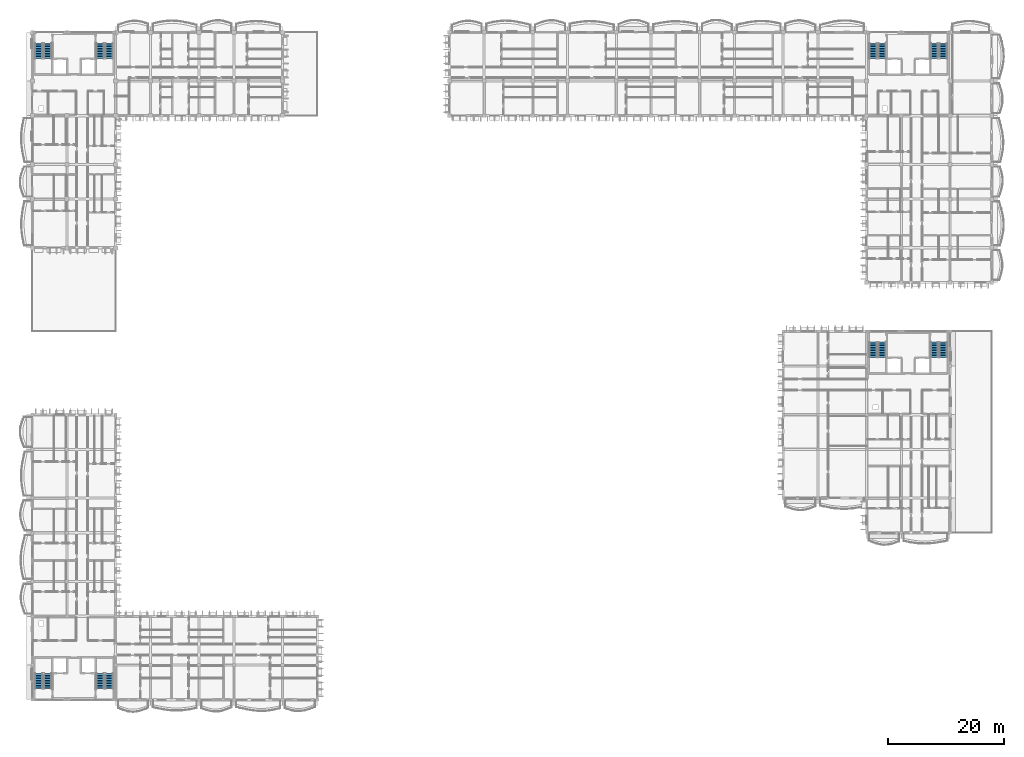
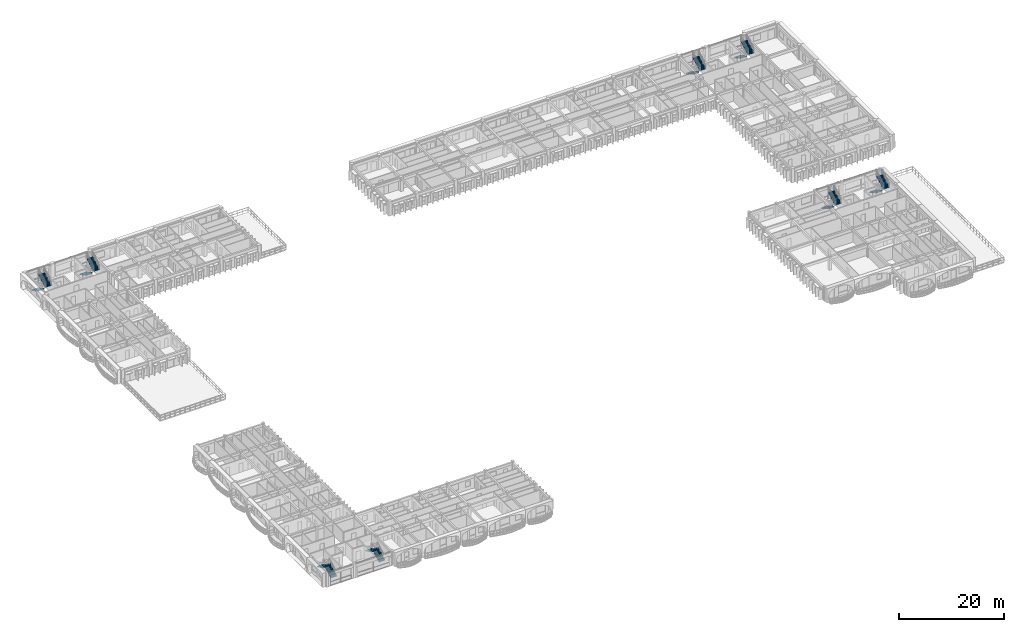
# One storey, part 38 of 66: 16 stair flights, 8 elements without a shape of their own.
"""IFC4 building model written with IfcOpenShell, lengths in metres."""

from ifc_helpers import new_model, si_unit, direction, frame, origin, place, context, subcontext, project, spatial, polyline, outline, extrude, material, type_object, element, aggregate, save


model = new_model("IFC4")

# Units and contexts
model_context = context("Model", 3, precision=1e-05, world=origin(), true_north=direction((0.0, 1.0)))
body_context = subcontext(model_context, "Body", "Model", "MODEL_VIEW")
ifc_project = project(units=[si_unit("LENGTHUNIT", "METRE"), si_unit("AREAUNIT", "SQUARE_METRE"), si_unit("VOLUMEUNIT", "CUBIC_METRE"), si_unit("PLANEANGLEUNIT", "RADIAN"), si_unit("MASSUNIT", "GRAM", prefix="KILO"), si_unit("THERMODYNAMICTEMPERATUREUNIT", "KELVIN")], contexts=[model_context])

# Site, building, storey
site_placement = place(None, origin())
site = spatial("IfcSite", under=ifc_project, at=site_placement, CompositionType="ELEMENT")
building_placement = place(site_placement, origin())
building = spatial("IfcBuilding", under=site, at=building_placement, Name="Thalorik Housing Commons", CompositionType="ELEMENT")
storey_placement = place(building_placement, frame((0.0, 0.0, 21.300048828125)))
storey = spatial("IfcBuildingStorey", under=building, at=storey_placement, Name="L06", CompositionType="ELEMENT", Elevation=21.300048828125)

# Stair, stair flights
ifc_material = material(Name="Precast concrete C40/50", Category="concrete")
stair_type = type_object("IfcStairType", Name="ARC-STR-1350-R20", PredefinedType="HALF_TURN_STAIR", material=ifc_material)
stair_1_placement = place(storey_placement, origin())
stair_1 = element("IfcStair", 1, at=stair_1_placement, inside=storey, type_object=stair_type, Name="L06 Block A Smoke-Proof Stair 1", PredefinedType="HALF_TURN_STAIR")
stair_flight_type = type_object("IfcStairFlightType", Name="ARC-SFLT-1350-R10", PredefinedType="STRAIGHT", material=ifc_material)
stair_flight_1_placement = place(storey_placement, frame((9.52490234375, 121.699951171875, 0.0), z_axis=(0.0, 0.0, 1.0), x_axis=(0.0, -1.0, 0.0)))
stair_flight_1 = element("IfcStairFlight", 2, at=stair_flight_1_placement, type_object=stair_flight_type, Name="ST-A1 flight 1", NumberOfRisers=10, NumberOfTreads=9, PredefinedType="STRAIGHT", RiserHeight=0.165, TreadLength=0.29, context=body_context, shape_type="SweptSolid", body=[
    extrude(outline(polyline([(0.0, 0.0), (0.0, 0.1650390625), (0.2900390625, 0.1650390625), (0.2900390625, 0.330078125), (0.580078125, 0.330078125), (0.580078125, 0.4951171875), (0.8701171875, 0.4951171875), (0.8701171875, 0.659912109375), (1.159912109375, 0.659912109375), (1.159912109375, 0.824951171875), (1.449951171875, 0.824951171875), (1.449951171875, 0.989990234375), (1.739990234375, 0.989990234375), (1.739990234375, 1.155029296875), (2.030029296875, 1.155029296875), (2.030029296875, 1.320068359375), (2.320068359375, 1.320068359375), (2.320068359375, 1.485107421875), (2.610107421875, 1.485107421875), (2.610107421875, 1.64990234375), (2.610107421875, 1.301025390625), (0.323486328125, 0.0), (0.0, 0.0)])), frame((0.0, 0.675048828125, 0.0), z_axis=(0.0, -1.0, 0.0), x_axis=(1.0, 0.0, 0.0)), (0.0, 0.0, 1.0), 1.35009765625),
])
stair_flight_2_placement = place(storey_placement, frame((11.074951171875, 119.090087890625, 1.64990234375), z_axis=(0.0, 0.0, 1.0), x_axis=(0.0, 1.0, 0.0)))
stair_flight_2 = element("IfcStairFlight", 3, at=stair_flight_2_placement, type_object=stair_flight_type, Name="ST-A1 flight 2", NumberOfRisers=10, NumberOfTreads=9, PredefinedType="STRAIGHT", RiserHeight=0.165, TreadLength=0.29, context=body_context, shape_type="SweptSolid", body=[
    extrude(outline(polyline([(0.0, 0.0), (0.0, 0.1650390625), (0.2900390625, 0.1650390625), (0.2900390625, 0.330078125), (0.580078125, 0.330078125), (0.580078125, 0.4951171875), (0.8701171875, 0.4951171875), (0.8701171875, 0.659912109375), (1.159912109375, 0.659912109375), (1.159912109375, 0.824951171875), (1.449951171875, 0.824951171875), (1.449951171875, 0.989990234375), (1.739990234375, 0.989990234375), (1.739990234375, 1.155029296875), (2.030029296875, 1.155029296875), (2.030029296875, 1.320068359375), (2.320068359375, 1.320068359375), (2.320068359375, 1.485107421875), (2.610107421875, 1.485107421875), (2.610107421875, 1.64990234375), (2.610107421875, 1.301025390625), (0.323486328125, 0.0), (0.0, 0.0)])), frame((0.0, 0.675048828125, 0.0), z_axis=(0.0, -1.0, 0.0), x_axis=(1.0, 0.0, 0.0)), (0.0, 0.0, 1.0), 1.35009765625),
])
aggregate(stair_1, [stair_flight_1, stair_flight_2])

stair_2_placement = place(storey_placement, origin())
stair_2 = element("IfcStair", 4, at=stair_2_placement, inside=storey, type_object=stair_type, Name="L06 Block A Smoke-Proof Stair 2", PredefinedType="HALF_TURN_STAIR")
stair_flight_3_placement = place(storey_placement, frame((20.125, 121.699951171875, 0.0), z_axis=(0.0, 0.0, 1.0), x_axis=(0.0, -1.0, 0.0)))
stair_flight_3 = element("IfcStairFlight", 5, at=stair_flight_3_placement, type_object=stair_flight_type, Name="ST-A2 flight 1", NumberOfRisers=10, NumberOfTreads=9, PredefinedType="STRAIGHT", RiserHeight=0.165, TreadLength=0.29, context=body_context, shape_type="SweptSolid", body=[
    extrude(outline(polyline([(0.0, 0.0), (0.0, 0.1650390625), (0.2900390625, 0.1650390625), (0.2900390625, 0.330078125), (0.580078125, 0.330078125), (0.580078125, 0.4951171875), (0.8701171875, 0.4951171875), (0.8701171875, 0.659912109375), (1.159912109375, 0.659912109375), (1.159912109375, 0.824951171875), (1.449951171875, 0.824951171875), (1.449951171875, 0.989990234375), (1.739990234375, 0.989990234375), (1.739990234375, 1.155029296875), (2.030029296875, 1.155029296875), (2.030029296875, 1.320068359375), (2.320068359375, 1.320068359375), (2.320068359375, 1.485107421875), (2.610107421875, 1.485107421875), (2.610107421875, 1.64990234375), (2.610107421875, 1.301025390625), (0.323486328125, 0.0), (0.0, 0.0)])), frame((0.0, 0.675048828125, 0.0), z_axis=(0.0, -1.0, 0.0), x_axis=(1.0, 0.0, 0.0)), (0.0, 0.0, 1.0), 1.35009765625),
])
stair_flight_4_placement = place(storey_placement, frame((21.675048828125, 119.090087890625, 1.64990234375), z_axis=(0.0, 0.0, 1.0), x_axis=(0.0, 1.0, 0.0)))
stair_flight_4 = element("IfcStairFlight", 6, at=stair_flight_4_placement, type_object=stair_flight_type, Name="ST-A2 flight 2", NumberOfRisers=10, NumberOfTreads=9, PredefinedType="STRAIGHT", RiserHeight=0.165, TreadLength=0.29, context=body_context, shape_type="SweptSolid", body=[
    extrude(outline(polyline([(0.0, 0.0), (0.0, 0.1650390625), (0.2900390625, 0.1650390625), (0.2900390625, 0.330078125), (0.580078125, 0.330078125), (0.580078125, 0.4951171875), (0.8701171875, 0.4951171875), (0.8701171875, 0.659912109375), (1.159912109375, 0.659912109375), (1.159912109375, 0.824951171875), (1.449951171875, 0.824951171875), (1.449951171875, 0.989990234375), (1.739990234375, 0.989990234375), (1.739990234375, 1.155029296875), (2.030029296875, 1.155029296875), (2.030029296875, 1.320068359375), (2.320068359375, 1.320068359375), (2.320068359375, 1.485107421875), (2.610107421875, 1.485107421875), (2.610107421875, 1.64990234375), (2.610107421875, 1.301025390625), (0.323486328125, 0.0), (0.0, 0.0)])), frame((0.0, 0.675048828125, 0.0), z_axis=(0.0, -1.0, 0.0), x_axis=(1.0, 0.0, 0.0)), (0.0, 0.0, 1.0), 1.35009765625),
])
aggregate(stair_2, [stair_flight_3, stair_flight_4])

stair_3_placement = place(storey_placement, origin())
stair_3 = element("IfcStair", 7, at=stair_3_placement, inside=storey, type_object=stair_type, Name="L06 Block B Smoke-Proof Stair 1", PredefinedType="HALF_TURN_STAIR")
stair_flight_5_placement = place(storey_placement, frame((153.52490234375, 121.699951171875, 0.0), z_axis=(0.0, 0.0, 1.0), x_axis=(0.0, -1.0, 0.0)))
stair_flight_5 = element("IfcStairFlight", 8, at=stair_flight_5_placement, type_object=stair_flight_type, Name="ST-B1 flight 1", NumberOfRisers=10, NumberOfTreads=9, PredefinedType="STRAIGHT", RiserHeight=0.165, TreadLength=0.29, context=body_context, shape_type="SweptSolid", body=[
    extrude(outline(polyline([(0.0, 0.0), (0.0, 0.1650390625), (0.2900390625, 0.1650390625), (0.2900390625, 0.330078125), (0.580078125, 0.330078125), (0.580078125, 0.4951171875), (0.8701171875, 0.4951171875), (0.8701171875, 0.659912109375), (1.159912109375, 0.659912109375), (1.159912109375, 0.824951171875), (1.449951171875, 0.824951171875), (1.449951171875, 0.989990234375), (1.739990234375, 0.989990234375), (1.739990234375, 1.155029296875), (2.030029296875, 1.155029296875), (2.030029296875, 1.320068359375), (2.320068359375, 1.320068359375), (2.320068359375, 1.485107421875), (2.610107421875, 1.485107421875), (2.610107421875, 1.64990234375), (2.610107421875, 1.301025390625), (0.323486328125, 0.0), (0.0, 0.0)])), frame((0.0, 0.675048828125, 0.0), z_axis=(0.0, -1.0, 0.0), x_axis=(1.0, 0.0, 0.0)), (0.0, 0.0, 1.0), 1.35009765625),
])
stair_flight_6_placement = place(storey_placement, frame((155.074951171875, 119.090087890625, 1.64990234375), z_axis=(0.0, 0.0, 1.0), x_axis=(0.0, 1.0, 0.0)))
stair_flight_6 = element("IfcStairFlight", 9, at=stair_flight_6_placement, type_object=stair_flight_type, Name="ST-B1 flight 2", NumberOfRisers=10, NumberOfTreads=9, PredefinedType="STRAIGHT", RiserHeight=0.165, TreadLength=0.29, context=body_context, shape_type="SweptSolid", body=[
    extrude(outline(polyline([(0.0, 0.0), (0.0, 0.1650390625), (0.2900390625, 0.1650390625), (0.2900390625, 0.330078125), (0.580078125, 0.330078125), (0.580078125, 0.4951171875), (0.8701171875, 0.4951171875), (0.8701171875, 0.659912109375), (1.159912109375, 0.659912109375), (1.159912109375, 0.824951171875), (1.449951171875, 0.824951171875), (1.449951171875, 0.989990234375), (1.739990234375, 0.989990234375), (1.739990234375, 1.155029296875), (2.030029296875, 1.155029296875), (2.030029296875, 1.320068359375), (2.320068359375, 1.320068359375), (2.320068359375, 1.485107421875), (2.610107421875, 1.485107421875), (2.610107421875, 1.64990234375), (2.610107421875, 1.301025390625), (0.323486328125, 0.0), (0.0, 0.0)])), frame((0.0, 0.675048828125, 0.0), z_axis=(0.0, -1.0, 0.0), x_axis=(1.0, 0.0, 0.0)), (0.0, 0.0, 1.0), 1.35009765625),
])
aggregate(stair_3, [stair_flight_5, stair_flight_6])

stair_4_placement = place(storey_placement, origin())
stair_4 = element("IfcStair", 10, at=stair_4_placement, inside=storey, type_object=stair_type, Name="L06 Block B Smoke-Proof Stair 2", PredefinedType="HALF_TURN_STAIR")
stair_flight_7_placement = place(storey_placement, frame((164.125, 121.699951171875, 0.0), z_axis=(0.0, 0.0, 1.0), x_axis=(0.0, -1.0, 0.0)))
stair_flight_7 = element("IfcStairFlight", 11, at=stair_flight_7_placement, type_object=stair_flight_type, Name="ST-B2 flight 1", NumberOfRisers=10, NumberOfTreads=9, PredefinedType="STRAIGHT", RiserHeight=0.165, TreadLength=0.29, context=body_context, shape_type="SweptSolid", body=[
    extrude(outline(polyline([(0.0, 0.0), (0.0, 0.1650390625), (0.2900390625, 0.1650390625), (0.2900390625, 0.330078125), (0.580078125, 0.330078125), (0.580078125, 0.4951171875), (0.8701171875, 0.4951171875), (0.8701171875, 0.659912109375), (1.159912109375, 0.659912109375), (1.159912109375, 0.824951171875), (1.449951171875, 0.824951171875), (1.449951171875, 0.989990234375), (1.739990234375, 0.989990234375), (1.739990234375, 1.155029296875), (2.030029296875, 1.155029296875), (2.030029296875, 1.320068359375), (2.320068359375, 1.320068359375), (2.320068359375, 1.485107421875), (2.610107421875, 1.485107421875), (2.610107421875, 1.64990234375), (2.610107421875, 1.301025390625), (0.323486328125, 0.0), (0.0, 0.0)])), frame((0.0, 0.675048828125, 0.0), z_axis=(0.0, -1.0, 0.0), x_axis=(1.0, 0.0, 0.0)), (0.0, 0.0, 1.0), 1.35009765625),
])
stair_flight_8_placement = place(storey_placement, frame((165.675048828125, 119.090087890625, 1.64990234375), z_axis=(0.0, 0.0, 1.0), x_axis=(0.0, 1.0, 0.0)))
stair_flight_8 = element("IfcStairFlight", 12, at=stair_flight_8_placement, type_object=stair_flight_type, Name="ST-B2 flight 2", NumberOfRisers=10, NumberOfTreads=9, PredefinedType="STRAIGHT", RiserHeight=0.165, TreadLength=0.29, context=body_context, shape_type="SweptSolid", body=[
    extrude(outline(polyline([(0.0, 0.0), (0.0, 0.1650390625), (0.2900390625, 0.1650390625), (0.2900390625, 0.330078125), (0.580078125, 0.330078125), (0.580078125, 0.4951171875), (0.8701171875, 0.4951171875), (0.8701171875, 0.659912109375), (1.159912109375, 0.659912109375), (1.159912109375, 0.824951171875), (1.449951171875, 0.824951171875), (1.449951171875, 0.989990234375), (1.739990234375, 0.989990234375), (1.739990234375, 1.155029296875), (2.030029296875, 1.155029296875), (2.030029296875, 1.320068359375), (2.320068359375, 1.320068359375), (2.320068359375, 1.485107421875), (2.610107421875, 1.485107421875), (2.610107421875, 1.64990234375), (2.610107421875, 1.301025390625), (0.323486328125, 0.0), (0.0, 0.0)])), frame((0.0, 0.675048828125, 0.0), z_axis=(0.0, -1.0, 0.0), x_axis=(1.0, 0.0, 0.0)), (0.0, 0.0, 1.0), 1.35009765625),
])
aggregate(stair_4, [stair_flight_7, stair_flight_8])

stair_5_placement = place(storey_placement, origin())
stair_5 = element("IfcStair", 13, at=stair_5_placement, inside=storey, type_object=stair_type, Name="L06 Block C Smoke-Proof Stair 1", PredefinedType="HALF_TURN_STAIR")
stair_flight_9_placement = place(storey_placement, frame((11.074951171875, 10.300048828125, 0.0), z_axis=(0.0, 0.0, 1.0), x_axis=(0.0, 1.0, 0.0)))
stair_flight_9 = element("IfcStairFlight", 14, at=stair_flight_9_placement, type_object=stair_flight_type, Name="ST-C1 flight 1", NumberOfRisers=10, NumberOfTreads=9, PredefinedType="STRAIGHT", RiserHeight=0.165, TreadLength=0.29, context=body_context, shape_type="SweptSolid", body=[
    extrude(outline(polyline([(0.0, 0.0), (0.0, 0.1650390625), (0.2900390625, 0.1650390625), (0.2900390625, 0.330078125), (0.580078125, 0.330078125), (0.580078125, 0.4951171875), (0.8701171875, 0.4951171875), (0.8701171875, 0.659912109375), (1.159912109375, 0.659912109375), (1.159912109375, 0.824951171875), (1.449951171875, 0.824951171875), (1.449951171875, 0.989990234375), (1.739990234375, 0.989990234375), (1.739990234375, 1.155029296875), (2.030029296875, 1.155029296875), (2.030029296875, 1.320068359375), (2.320068359375, 1.320068359375), (2.320068359375, 1.485107421875), (2.610107421875, 1.485107421875), (2.610107421875, 1.64990234375), (2.610107421875, 1.301025390625), (0.323486328125, 0.0), (0.0, 0.0)])), frame((0.0, 0.675048828125, 0.0), z_axis=(0.0, -1.0, 0.0), x_axis=(1.0, 0.0, 0.0)), (0.0, 0.0, 1.0), 1.35009765625),
])
stair_flight_10_placement = place(storey_placement, frame((9.52490234375, 12.909912109375, 1.64990234375), z_axis=(0.0, 0.0, 1.0), x_axis=(0.0, -1.0, 0.0)))
stair_flight_10 = element("IfcStairFlight", 15, at=stair_flight_10_placement, type_object=stair_flight_type, Name="ST-C1 flight 2", NumberOfRisers=10, NumberOfTreads=9, PredefinedType="STRAIGHT", RiserHeight=0.165, TreadLength=0.29, context=body_context, shape_type="SweptSolid", body=[
    extrude(outline(polyline([(0.0, 0.0), (0.0, 0.1650390625), (0.2900390625, 0.1650390625), (0.2900390625, 0.330078125), (0.580078125, 0.330078125), (0.580078125, 0.4951171875), (0.8701171875, 0.4951171875), (0.8701171875, 0.659912109375), (1.159912109375, 0.659912109375), (1.159912109375, 0.824951171875), (1.449951171875, 0.824951171875), (1.449951171875, 0.989990234375), (1.739990234375, 0.989990234375), (1.739990234375, 1.155029296875), (2.030029296875, 1.155029296875), (2.030029296875, 1.320068359375), (2.320068359375, 1.320068359375), (2.320068359375, 1.485107421875), (2.610107421875, 1.485107421875), (2.610107421875, 1.64990234375), (2.610107421875, 1.301025390625), (0.323486328125, 0.0), (0.0, 0.0)])), frame((0.0, 0.675048828125, 0.0), z_axis=(0.0, -1.0, 0.0), x_axis=(1.0, 0.0, 0.0)), (0.0, 0.0, 1.0), 1.35009765625),
])
aggregate(stair_5, [stair_flight_9, stair_flight_10])

stair_6_placement = place(storey_placement, origin())
stair_6 = element("IfcStair", 16, at=stair_6_placement, inside=storey, type_object=stair_type, Name="L06 Block C Smoke-Proof Stair 2", PredefinedType="HALF_TURN_STAIR")
stair_flight_11_placement = place(storey_placement, frame((21.675048828125, 10.300048828125, 0.0), z_axis=(0.0, 0.0, 1.0), x_axis=(0.0, 1.0, 0.0)))
stair_flight_11 = element("IfcStairFlight", 17, at=stair_flight_11_placement, type_object=stair_flight_type, Name="ST-C2 flight 1", NumberOfRisers=10, NumberOfTreads=9, PredefinedType="STRAIGHT", RiserHeight=0.165, TreadLength=0.29, context=body_context, shape_type="SweptSolid", body=[
    extrude(outline(polyline([(0.0, 0.0), (0.0, 0.1650390625), (0.2900390625, 0.1650390625), (0.2900390625, 0.330078125), (0.580078125, 0.330078125), (0.580078125, 0.4951171875), (0.8701171875, 0.4951171875), (0.8701171875, 0.659912109375), (1.159912109375, 0.659912109375), (1.159912109375, 0.824951171875), (1.449951171875, 0.824951171875), (1.449951171875, 0.989990234375), (1.739990234375, 0.989990234375), (1.739990234375, 1.155029296875), (2.030029296875, 1.155029296875), (2.030029296875, 1.320068359375), (2.320068359375, 1.320068359375), (2.320068359375, 1.485107421875), (2.610107421875, 1.485107421875), (2.610107421875, 1.64990234375), (2.610107421875, 1.301025390625), (0.323486328125, 0.0), (0.0, 0.0)])), frame((0.0, 0.675048828125, 0.0), z_axis=(0.0, -1.0, 0.0), x_axis=(1.0, 0.0, 0.0)), (0.0, 0.0, 1.0), 1.35009765625),
])
stair_flight_12_placement = place(storey_placement, frame((20.125, 12.909912109375, 1.64990234375), z_axis=(0.0, 0.0, 1.0), x_axis=(0.0, -1.0, 0.0)))
stair_flight_12 = element("IfcStairFlight", 18, at=stair_flight_12_placement, type_object=stair_flight_type, Name="ST-C2 flight 2", NumberOfRisers=10, NumberOfTreads=9, PredefinedType="STRAIGHT", RiserHeight=0.165, TreadLength=0.29, context=body_context, shape_type="SweptSolid", body=[
    extrude(outline(polyline([(0.0, 0.0), (0.0, 0.1650390625), (0.2900390625, 0.1650390625), (0.2900390625, 0.330078125), (0.580078125, 0.330078125), (0.580078125, 0.4951171875), (0.8701171875, 0.4951171875), (0.8701171875, 0.659912109375), (1.159912109375, 0.659912109375), (1.159912109375, 0.824951171875), (1.449951171875, 0.824951171875), (1.449951171875, 0.989990234375), (1.739990234375, 0.989990234375), (1.739990234375, 1.155029296875), (2.030029296875, 1.155029296875), (2.030029296875, 1.320068359375), (2.320068359375, 1.320068359375), (2.320068359375, 1.485107421875), (2.610107421875, 1.485107421875), (2.610107421875, 1.64990234375), (2.610107421875, 1.301025390625), (0.323486328125, 0.0), (0.0, 0.0)])), frame((0.0, 0.675048828125, 0.0), z_axis=(0.0, -1.0, 0.0), x_axis=(1.0, 0.0, 0.0)), (0.0, 0.0, 1.0), 1.35009765625),
])
aggregate(stair_6, [stair_flight_11, stair_flight_12])

stair_7_placement = place(storey_placement, origin())
stair_7 = element("IfcStair", 19, at=stair_7_placement, inside=storey, type_object=stair_type, Name="L06 Block D Smoke-Proof Stair 1", PredefinedType="HALF_TURN_STAIR")
stair_flight_13_placement = place(storey_placement, frame((153.52490234375, 70.10009765625, 0.0), z_axis=(0.0, 0.0, 1.0), x_axis=(0.0, -1.0, 0.0)))
stair_flight_13 = element("IfcStairFlight", 20, at=stair_flight_13_placement, type_object=stair_flight_type, Name="ST-D1 flight 1", NumberOfRisers=10, NumberOfTreads=9, PredefinedType="STRAIGHT", RiserHeight=0.165, TreadLength=0.29, context=body_context, shape_type="SweptSolid", body=[
    extrude(outline(polyline([(0.0, 0.0), (0.0, 0.1650390625), (0.2900390625, 0.1650390625), (0.2900390625, 0.330078125), (0.580078125, 0.330078125), (0.580078125, 0.4951171875), (0.8701171875, 0.4951171875), (0.8701171875, 0.659912109375), (1.159912109375, 0.659912109375), (1.159912109375, 0.824951171875), (1.449951171875, 0.824951171875), (1.449951171875, 0.989990234375), (1.739990234375, 0.989990234375), (1.739990234375, 1.155029296875), (2.030029296875, 1.155029296875), (2.030029296875, 1.320068359375), (2.320068359375, 1.320068359375), (2.320068359375, 1.485107421875), (2.610107421875, 1.485107421875), (2.610107421875, 1.64990234375), (2.610107421875, 1.301025390625), (0.323486328125, 0.0), (0.0, 0.0)])), frame((0.0, 0.675048828125, 0.0), z_axis=(0.0, -1.0, 0.0), x_axis=(1.0, 0.0, 0.0)), (0.0, 0.0, 1.0), 1.35009765625),
])
stair_flight_14_placement = place(storey_placement, frame((155.074951171875, 67.489990234375, 1.64990234375), z_axis=(0.0, 0.0, 1.0), x_axis=(0.0, 1.0, 0.0)))
stair_flight_14 = element("IfcStairFlight", 21, at=stair_flight_14_placement, type_object=stair_flight_type, Name="ST-D1 flight 2", NumberOfRisers=10, NumberOfTreads=9, PredefinedType="STRAIGHT", RiserHeight=0.165, TreadLength=0.29, context=body_context, shape_type="SweptSolid", body=[
    extrude(outline(polyline([(0.0, 0.0), (0.0, 0.1650390625), (0.2900390625, 0.1650390625), (0.2900390625, 0.330078125), (0.580078125, 0.330078125), (0.580078125, 0.4951171875), (0.8701171875, 0.4951171875), (0.8701171875, 0.659912109375), (1.159912109375, 0.659912109375), (1.159912109375, 0.824951171875), (1.449951171875, 0.824951171875), (1.449951171875, 0.989990234375), (1.739990234375, 0.989990234375), (1.739990234375, 1.155029296875), (2.030029296875, 1.155029296875), (2.030029296875, 1.320068359375), (2.320068359375, 1.320068359375), (2.320068359375, 1.485107421875), (2.610107421875, 1.485107421875), (2.610107421875, 1.64990234375), (2.610107421875, 1.301025390625), (0.323486328125, 0.0), (0.0, 0.0)])), frame((0.0, 0.675048828125, 0.0), z_axis=(0.0, -1.0, 0.0), x_axis=(1.0, 0.0, 0.0)), (0.0, 0.0, 1.0), 1.35009765625),
])
aggregate(stair_7, [stair_flight_13, stair_flight_14])

stair_8_placement = place(storey_placement, origin())
stair_8 = element("IfcStair", 22, at=stair_8_placement, inside=storey, type_object=stair_type, Name="L06 Block D Smoke-Proof Stair 2", PredefinedType="HALF_TURN_STAIR")
stair_flight_15_placement = place(storey_placement, frame((164.125, 70.10009765625, 0.0), z_axis=(0.0, 0.0, 1.0), x_axis=(0.0, -1.0, 0.0)))
stair_flight_15 = element("IfcStairFlight", 23, at=stair_flight_15_placement, type_object=stair_flight_type, Name="ST-D2 flight 1", NumberOfRisers=10, NumberOfTreads=9, PredefinedType="STRAIGHT", RiserHeight=0.165, TreadLength=0.29, context=body_context, shape_type="SweptSolid", body=[
    extrude(outline(polyline([(0.0, 0.0), (0.0, 0.1650390625), (0.2900390625, 0.1650390625), (0.2900390625, 0.330078125), (0.580078125, 0.330078125), (0.580078125, 0.4951171875), (0.8701171875, 0.4951171875), (0.8701171875, 0.659912109375), (1.159912109375, 0.659912109375), (1.159912109375, 0.824951171875), (1.449951171875, 0.824951171875), (1.449951171875, 0.989990234375), (1.739990234375, 0.989990234375), (1.739990234375, 1.155029296875), (2.030029296875, 1.155029296875), (2.030029296875, 1.320068359375), (2.320068359375, 1.320068359375), (2.320068359375, 1.485107421875), (2.610107421875, 1.485107421875), (2.610107421875, 1.64990234375), (2.610107421875, 1.301025390625), (0.323486328125, 0.0), (0.0, 0.0)])), frame((0.0, 0.675048828125, 0.0), z_axis=(0.0, -1.0, 0.0), x_axis=(1.0, 0.0, 0.0)), (0.0, 0.0, 1.0), 1.35009765625),
])
stair_flight_16_placement = place(storey_placement, frame((165.675048828125, 67.489990234375, 1.64990234375), z_axis=(0.0, 0.0, 1.0), x_axis=(0.0, 1.0, 0.0)))
stair_flight_16 = element("IfcStairFlight", 24, at=stair_flight_16_placement, type_object=stair_flight_type, Name="ST-D2 flight 2", NumberOfRisers=10, NumberOfTreads=9, PredefinedType="STRAIGHT", RiserHeight=0.165, TreadLength=0.29, context=body_context, shape_type="SweptSolid", body=[
    extrude(outline(polyline([(0.0, 0.0), (0.0, 0.1650390625), (0.2900390625, 0.1650390625), (0.2900390625, 0.330078125), (0.580078125, 0.330078125), (0.580078125, 0.4951171875), (0.8701171875, 0.4951171875), (0.8701171875, 0.659912109375), (1.159912109375, 0.659912109375), (1.159912109375, 0.824951171875), (1.449951171875, 0.824951171875), (1.449951171875, 0.989990234375), (1.739990234375, 0.989990234375), (1.739990234375, 1.155029296875), (2.030029296875, 1.155029296875), (2.030029296875, 1.320068359375), (2.320068359375, 1.320068359375), (2.320068359375, 1.485107421875), (2.610107421875, 1.485107421875), (2.610107421875, 1.64990234375), (2.610107421875, 1.301025390625), (0.323486328125, 0.0), (0.0, 0.0)])), frame((0.0, 0.675048828125, 0.0), z_axis=(0.0, -1.0, 0.0), x_axis=(1.0, 0.0, 0.0)), (0.0, 0.0, 1.0), 1.35009765625),
])
aggregate(stair_8, [stair_flight_15, stair_flight_16])

save(model, "model.ifc")
